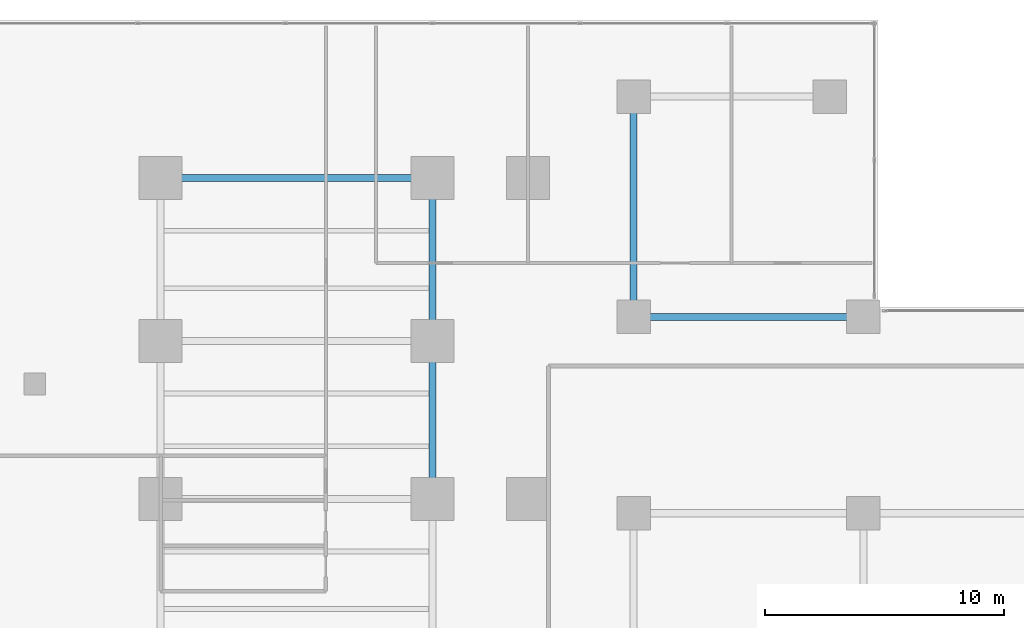
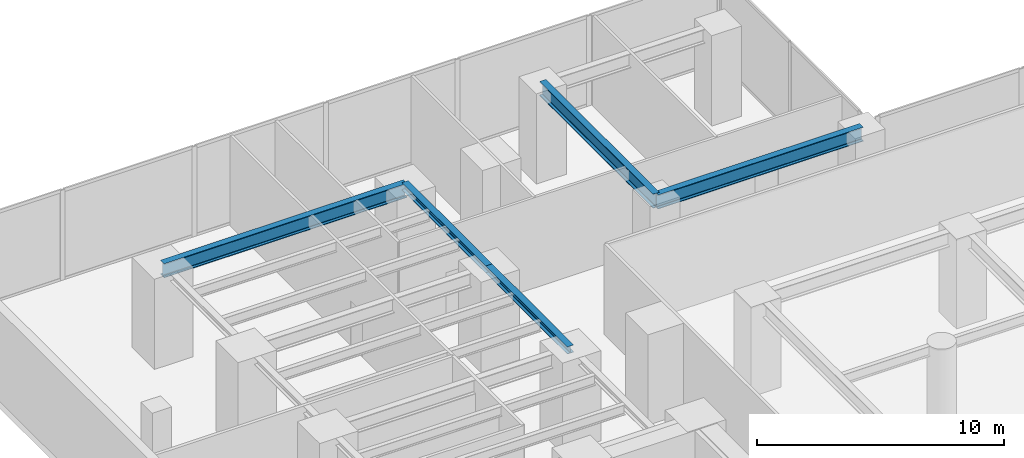
# One storey, part 2 of 16: 5 beams.
"""IFC4 building model written with IfcOpenShell, lengths in metres."""

import ifcopenshell
import ifcopenshell.guid

model = None  # the IFC model being written
_history = None  # IfcOwnerHistory: only IFC2X3 demands one
_inside = {}  # id of a spatial element -> (the spatial element, [elements in it])
_under = {}  # id of a project, library or spatial element -> (it, [spatial elements below it])
_declared = {}  # id of a project -> (the project, [libraries it declares])
_typed = {}  # id of a type object -> (the type object, [elements of that type])
_made_of = {}  # id of a material, layer set ... -> (it, [elements and type objects made of it])


def new_model(schema):
    """Start an empty IFC model of exactly this schema.

    Asked for "IFC4X3", IfcOpenShell would pick the latest addendum, in which some entities
    have other attributes; the version numbers below select the first issue.
    IFC2X3 requires an IfcOwnerHistory on every rooted entity: one is made here for all.
    """
    global model, _history
    if schema == "IFC4X3":
        model = ifcopenshell.file(schema_version=(4, 3, 0, 0))
    else:
        model = ifcopenshell.file(schema=schema)
    _inside.clear()
    _under.clear()
    _declared.clear()
    _typed.clear()
    _made_of.clear()
    _history = None
    if model.schema == "IFC2X3":
        org = make("IfcOrganization", Name="unknown")
        user = make(
            "IfcPersonAndOrganization",
            ThePerson=make("IfcPerson", FamilyName="unknown"),
            TheOrganization=org,
        )
        app = make(
            "IfcApplication",
            ApplicationDeveloper=org,
            Version="unknown",
            ApplicationFullName="unknown",
            ApplicationIdentifier="unknown",
        )
        _history = make(
            "IfcOwnerHistory",
            OwningUser=user,
            OwningApplication=app,
            ChangeAction="ADDED",
            CreationDate=0,
        )
    return model


def make(cls, **values):
    """One entity of the class cls with the attributes given. An attribute that is None is left unset."""
    return model.create_entity(
        cls, **{name: value for name, value in values.items() if value is not None}
    )


def rooted(cls, **values):
    """An entity with a GlobalId (a new one), such as an element, a storey or a relation."""
    return make(cls, GlobalId=ifcopenshell.guid.new(), OwnerHistory=_history, **values)


def si_unit(unit_type, name, prefix=None):
    """IfcSIUnit, for example si_unit("LENGTHUNIT", "METRE", prefix="MILLI")."""
    return make("IfcSIUnit", UnitType=unit_type, Prefix=prefix, Name=name)


def assignment(units):
    """IfcUnitAssignment: the units of a project."""
    return None if units is None else make("IfcUnitAssignment", Units=units)


def point(xyz):
    """IfcCartesianPoint."""
    return None if xyz is None else make("IfcCartesianPoint", Coordinates=xyz)


def direction(xyz):
    """IfcDirection."""
    return None if xyz is None else make("IfcDirection", DirectionRatios=xyz)


def frame(location, z_axis=None, x_axis=None):
    """IfcAxis2Placement3D, a coordinate frame: its origin and axes. An axis left out is left unset."""
    return make(
        "IfcAxis2Placement3D",
        Location=point(location),
        Axis=direction(z_axis),
        RefDirection=direction(x_axis),
    )


def frame_2d(location, x_axis=None):
    """IfcAxis2Placement2D, a coordinate frame in the plane: its origin and x axis."""
    return make(
        "IfcAxis2Placement2D", Location=point(location), RefDirection=direction(x_axis)
    )


def origin():
    """The frame at (0, 0, 0) with its axes left unset."""
    return frame((0.0, 0.0, 0.0))


def origin_2d():
    """The frame at (0, 0) in the plane with its x axis left unset."""
    return frame_2d((0.0, 0.0))


def place(relative_to, where):
    """IfcLocalPlacement: puts the frame where relative to a parent placement (None: the world)."""
    return make(
        "IfcLocalPlacement", PlacementRelTo=relative_to, RelativePlacement=where
    )


def context(
    kind, dimensions, precision=None, world=None, true_north=None, identifier=None
):
    """IfcGeometricRepresentationContext, for example the 3D "Model" context."""
    return make(
        "IfcGeometricRepresentationContext",
        ContextIdentifier=identifier,
        ContextType=kind,
        CoordinateSpaceDimension=dimensions,
        Precision=precision,
        WorldCoordinateSystem=world,
        TrueNorth=true_north,
    )


def subcontext(parent, identifier, kind, view, scale=None):
    """IfcGeometricRepresentationSubContext, for example "Body" below "Model"."""
    return make(
        "IfcGeometricRepresentationSubContext",
        ContextIdentifier=identifier,
        ContextType=kind,
        ParentContext=parent,
        TargetScale=scale,
        TargetView=view,
    )


def project(units=None, contexts=None):
    """IfcProject with its units and contexts."""
    return rooted(
        "IfcProject",
        Name="project",
        RepresentationContexts=contexts,
        UnitsInContext=assignment(units),
    )


def spatial(cls, under=None, at=None, **own):
    """A site, building, storey or space (cls), placed at a placement, below another one or the project."""
    s = rooted(cls, ObjectPlacement=at, **own)
    if under is not None:
        _under.setdefault(under.id(), (under, []))[1].append(s)
    return s


def profile(cls, at=None, kind="AREA", **sizes):
    """A parametric profile (cls). Its sizes go by their IFC names, for example OverallWidth=200.0."""
    return make(cls, ProfileType=kind, Position=at, **sizes)


def i_section(**sizes):
    """IfcIShapeProfileDef."""
    return profile("IfcIShapeProfileDef", **sizes)


def extrude(swept, where, along, depth):
    """IfcExtrudedAreaSolid: the profile swept, set in the frame where, extruded along a direction by depth."""
    return make(
        "IfcExtrudedAreaSolid",
        SweptArea=swept,
        Position=where,
        ExtrudedDirection=direction(along),
        Depth=depth,
    )


def shape(context_of_items, identifier, shape_type, items):
    """IfcShapeRepresentation: the items that make up one representation, for example the "Body"."""
    return make(
        "IfcShapeRepresentation",
        ContextOfItems=context_of_items,
        RepresentationIdentifier=identifier,
        RepresentationType=shape_type,
        Items=items,
    )


def material(Name=None, Category=None):
    """IfcMaterial."""
    return make("IfcMaterial", Name=Name, Category=Category)


def material_profile(
    of_material, cross_section, Name=None, Category=None, Priority=None
):
    """IfcMaterialProfile: a cross section and its material."""
    return make(
        "IfcMaterialProfile",
        Name=Name,
        Material=of_material,
        Profile=cross_section,
        Priority=Priority,
        Category=Category,
    )


def profile_set(profiles, Name=None, composite=None):
    """IfcMaterialProfileSet."""
    return make(
        "IfcMaterialProfileSet",
        Name=Name,
        MaterialProfiles=profiles,
        CompositeProfile=composite,
    )


def made_of(thing, what):
    """Note that an element or type object is made of a material, layer set ...; save() writes the relation."""
    if what is not None:
        _made_of.setdefault(what.id(), (what, []))[1].append(thing)
    return thing


def type_object(cls, material=None, **own):
    """A type object (cls), such as IfcWallType, which elements share."""
    return made_of(rooted(cls, **own), material)


def element(
    cls,
    number,
    at=None,
    inside=None,
    cuts=None,
    type_object=None,
    material=None,
    context=None,
    identifier="Body",
    shape_type=None,
    held_by="IfcProductDefinitionShape",
    body=None,
    shapes=None,
    **own,
):
    """One element of the class cls, such as IfcWall. Its Tag is "e" and its number.

    at: its placement. inside: the storey or other place that contains it. cuts: it is an
    opening in that element (IfcRelVoidsElement). A single representation is given by context,
    identifier, shape_type and body (its items); several are given by shapes. held_by: the class
    of the entity that holds the representations. save() writes the other relations.
    """
    e = rooted(cls, Tag="e%d" % number, ObjectPlacement=at, **own)
    if body is not None:
        shapes = [shape(context, identifier, shape_type, body)]
    if shapes is not None:
        e.Representation = make(held_by, Representations=shapes)
    if inside is not None:
        _inside.setdefault(inside.id(), (inside, []))[1].append(e)
    if cuts is not None:
        rooted(
            "IfcRelVoidsElement", RelatingBuildingElement=cuts, RelatedOpeningElement=e
        )
    if type_object is not None:
        _typed.setdefault(type_object.id(), (type_object, []))[1].append(e)
    return made_of(e, material)


def aggregate(whole, parts):
    """IfcRelAggregates: a whole, such as a stair, and the parts it consists of."""
    return rooted("IfcRelAggregates", RelatingObject=whole, RelatedObjects=parts)


def save(model, path):
    """Write the relations noted so far, then the file.

    IfcRelAggregates (storeys below a building ...), IfcRelContainedInSpatialStructure (elements
    in a storey), IfcRelDefinesByType, IfcRelAssociatesMaterial and IfcRelDeclares: one each for
    every whole, place, type object, material and project.
    """
    for whole, parts in _under.values():
        aggregate(whole, parts)
    for where, things in _inside.values():
        rooted(
            "IfcRelContainedInSpatialStructure",
            RelatedElements=things,
            RelatingStructure=where,
        )
    for kind, things in _typed.values():
        rooted("IfcRelDefinesByType", RelatedObjects=things, RelatingType=kind)
    for what, things in _made_of.values():
        rooted("IfcRelAssociatesMaterial", RelatedObjects=things, RelatingMaterial=what)
    for by, libraries in _declared.values():
        rooted("IfcRelDeclares", RelatingContext=by, RelatedDefinitions=libraries)
    model.write(path)


model = new_model("IFC4")

# Units and contexts
model_context = context("Model", 3, precision=1e-05, world=origin(), true_north=direction((0.0, 1.0)))
body_context = subcontext(model_context, "Body", "Model", "MODEL_VIEW")
ifc_project = project(units=[si_unit("LENGTHUNIT", "METRE"), si_unit("AREAUNIT", "SQUARE_METRE"), si_unit("VOLUMEUNIT", "CUBIC_METRE"), si_unit("PLANEANGLEUNIT", "RADIAN"), si_unit("MASSUNIT", "GRAM", prefix="KILO")], contexts=[model_context])

# Site, building, storey
site_placement = place(None, origin())
site = spatial("IfcSite", under=ifc_project, at=site_placement, CompositionType="ELEMENT")
building_placement = place(site_placement, origin())
building = spatial("IfcBuilding", under=site, at=building_placement, Name="Kolvaren Waterfront Exchange", CompositionType="ELEMENT")
storey_placement = place(building_placement, frame((0.0, 0.0, 10.39990234375)))
storey = spatial("IfcBuildingStorey", under=building, at=storey_placement, Name="L03", CompositionType="ELEMENT", Elevation=10.39990234375)

# Beams
ifc_material = material(Name="Steel S355", Category="steel")
ifc_material_profile_1 = material_profile(ifc_material, i_section(OverallWidth=0.300048828125, OverallDepth=0.360107421875, WebThickness=0.012451171875, FlangeThickness=0.0224609375, FilletRadius=0.027099609375, at=origin_2d()), Name="HEB360")
ifc_profile_set_1 = profile_set([ifc_material_profile_1], Name="Steel S355")
beam_type_1 = type_object("IfcBeamType", Name="STR-BM-HEB360", PredefinedType="SPANDREL", material=ifc_profile_set_1)
beam_1_placement = place(storey_placement, frame((18.800048828125, 31.199951171875, 4.280029296875), z_axis=(0.0, 1.0, 0.0), x_axis=(-1.0, 0.0, 0.0)))
element("IfcBeam", 1, at=beam_1_placement, inside=storey, type_object=beam_type_1, Name="L03 north-arm edge beam 2", PredefinedType="SPANDREL", context=body_context, shape_type="SweptSolid", body=[
    extrude(i_section(OverallWidth=0.300048828125, OverallDepth=0.360107421875, WebThickness=0.012451171875, FlangeThickness=0.0224609375, FilletRadius=0.027099609375, at=origin_2d()), origin(), (0.0, 0.0, 1.0), 6.60009765625),
])
beam_2_placement = place(storey_placement, frame((18.800048828125, 37.800048828125, 4.280029296875), z_axis=(0.0, 1.0, 0.0), x_axis=(-1.0, 0.0, 0.0)))
element("IfcBeam", 2, at=beam_2_placement, inside=storey, type_object=beam_type_1, Name="L03 north-arm edge beam 3", PredefinedType="SPANDREL", context=body_context, shape_type="SweptSolid", body=[
    extrude(i_section(OverallWidth=0.300048828125, OverallDepth=0.360107421875, WebThickness=0.012451171875, FlangeThickness=0.0224609375, FilletRadius=0.027099609375, at=origin_2d()), origin(), (0.0, 0.0, 1.0), 6.800048828125),
])
ifc_material_profile_2 = material_profile(ifc_material, i_section(OverallWidth=0.300048828125, OverallDepth=0.699951171875, WebThickness=0.01708984375, FlangeThickness=0.031982421875, FilletRadius=0.027099609375, at=origin_2d()), Name="HEB700")
ifc_profile_set_2 = profile_set([ifc_material_profile_2], Name="Steel S355")
beam_type_2 = type_object("IfcBeamType", Name="STR-BM-HEB700", PredefinedType="BEAM", material=ifc_profile_set_2)
beam_3_placement = place(storey_placement, frame((7.449951171875, 44.60009765625, 4.110107421875), z_axis=(1.0, 0.0, 0.0), x_axis=(0.0, 1.0, 0.0)))
element("IfcBeam", 3, at=beam_3_placement, inside=storey, type_object=beam_type_2, Name="L03 north-arm girder 4", PredefinedType="BEAM", context=body_context, shape_type="SweptSolid", body=[
    extrude(i_section(OverallWidth=0.300048828125, OverallDepth=0.699951171875, WebThickness=0.01708984375, FlangeThickness=0.031982421875, FilletRadius=0.027099609375, at=origin_2d()), origin(), (0.0, 0.0, 1.0), 11.35009765625),
])
beam_4_placement = place(storey_placement, frame((27.199951171875, 38.800048828125, 4.110107421875), z_axis=(1.0, 0.0, 0.0), x_axis=(0.0, 1.0, 0.0)))
element("IfcBeam", 4, at=beam_4_placement, inside=storey, type_object=beam_type_2, Name="L03 podium north girder 1", PredefinedType="BEAM", context=body_context, shape_type="SweptSolid", body=[
    extrude(i_section(OverallWidth=0.300048828125, OverallDepth=0.699951171875, WebThickness=0.01708984375, FlangeThickness=0.031982421875, FilletRadius=0.027099609375, at=origin_2d()), origin(), (0.0, 0.0, 1.0), 9.60009765625),
])
beam_5_placement = place(storey_placement, frame((27.199951171875, 38.800048828125, 4.110107421875), z_axis=(0.0, 1.0, 0.0), x_axis=(-1.0, 0.0, 0.0)))
element("IfcBeam", 5, at=beam_5_placement, inside=storey, type_object=beam_type_2, Name="L03 podium west-link girder", PredefinedType="BEAM", context=body_context, shape_type="SweptSolid", body=[
    extrude(i_section(OverallWidth=0.300048828125, OverallDepth=0.699951171875, WebThickness=0.01708984375, FlangeThickness=0.031982421875, FilletRadius=0.027099609375, at=origin_2d()), origin(), (0.0, 0.0, 1.0), 9.199951171875),
])

save(model, "model.ifc")
